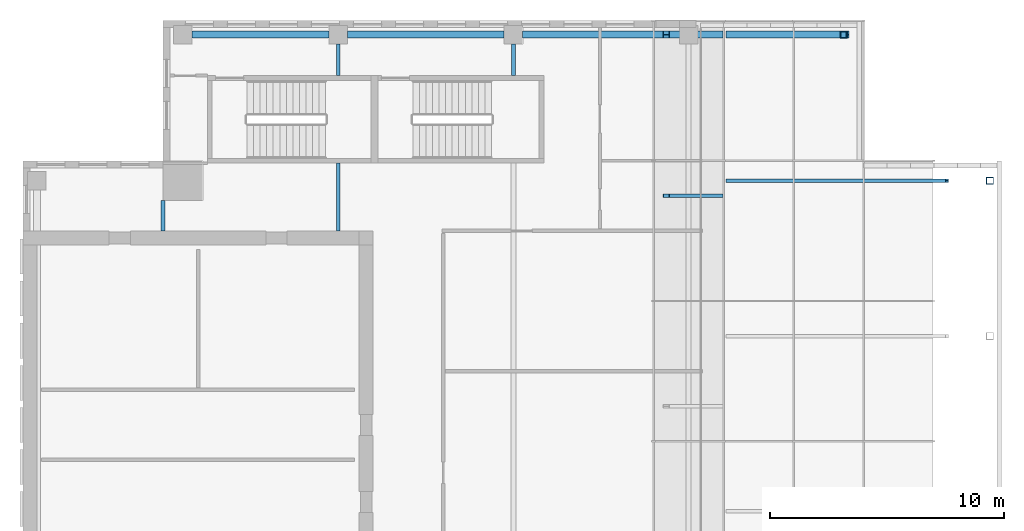
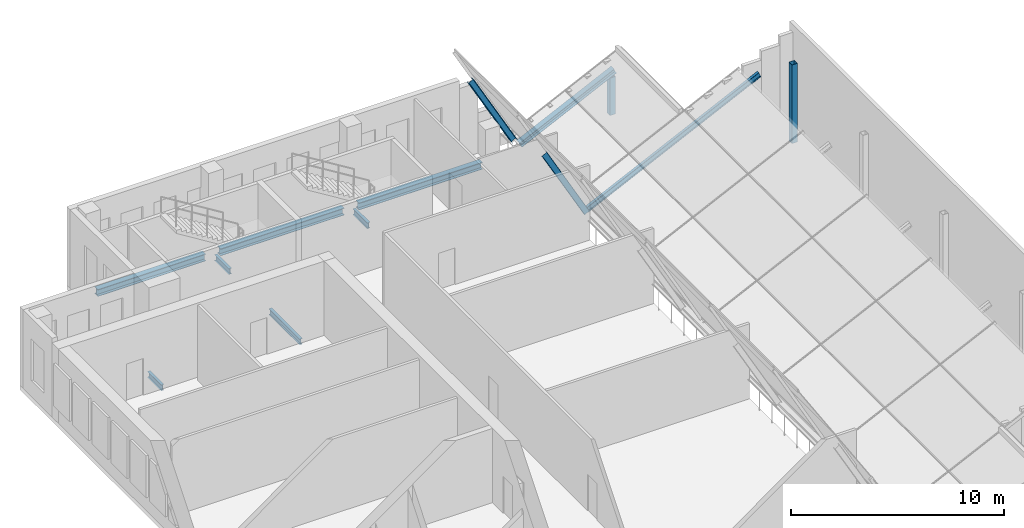
# One storey, part 3 of 11: 7 beams, 6 members.
"""IFC4 building model written with IfcOpenShell, lengths in metres."""

from ifc_helpers import new_model, si_unit, direction, frame, origin, origin_2d, place, context, subcontext, project, spatial, hollow_rectangle, i_section, extrude, source, transform, mapped, material, material_profile, profile_set, type_object, element, save


model = new_model("IFC4")

# Units and contexts
model_context = context("Model", 3, precision=1e-05, world=origin(), true_north=direction((0.0, 1.0)))
body_context = subcontext(model_context, "Body", "Model", "MODEL_VIEW")
ifc_project = project(units=[si_unit("LENGTHUNIT", "METRE"), si_unit("AREAUNIT", "SQUARE_METRE"), si_unit("VOLUMEUNIT", "CUBIC_METRE"), si_unit("PLANEANGLEUNIT", "RADIAN"), si_unit("MASSUNIT", "GRAM", prefix="KILO")], contexts=[model_context])

# Site, building, storey
site_placement = place(None, origin())
site = spatial("IfcSite", under=ifc_project, at=site_placement, CompositionType="ELEMENT")
building_placement = place(site_placement, origin())
building = spatial("IfcBuilding", under=site, at=building_placement, Name="Khomas Fold Tower", CompositionType="ELEMENT")
storey_placement = place(building_placement, frame((0.0, 0.0, 334.699951171875)))
storey = spatial("IfcBuildingStorey", under=building, at=storey_placement, Name="C2", CompositionType="ELEMENT", Elevation=334.699951171875)

# Beams
ifc_material_1 = material(Name="Steel S355", Category="steel")
ifc_material_profile_1 = material_profile(ifc_material_1, i_section(OverallWidth=0.159912109375, OverallDepth=0.330078125, WebThickness=0.007568359375, FlangeThickness=0.011474609375, at=origin_2d()), Name="IPE 330")
ifc_profile_set_1 = profile_set([ifc_material_profile_1], Name="Steel S355")
beam_type_1 = type_object("IfcBeamType", Name="IPE 330 beam JB1", PredefinedType="BEAM", material=ifc_profile_set_1)
shared_shape_1 = source(origin(), body_context, "Body", "SweptSolid", [
    extrude(i_section(OverallWidth=0.159912109375, OverallDepth=0.330078125, WebThickness=0.007568359375, FlangeThickness=0.011474609375, at=origin_2d()), origin(), (0.0, 0.0, 1.0), 2.89990234375),
])
beam_1_placement = place(storey_placement, frame((19.5, 39.0, -0.4150390625), z_axis=(0.0, 1.0, 0.0), x_axis=(-1.0, 0.0, 0.0)))
element("IfcBeam", 1, at=beam_1_placement, inside=storey, type_object=beam_type_1, Name="JB1", PredefinedType="BEAM", context=body_context, shape_type="MappedRepresentation", body=[
    mapped(shared_shape_1, transform((0.0, 0.0, 0.0))),
])
shared_shape_2 = source(origin(), body_context, "Body", "SweptSolid", [
    extrude(i_section(OverallWidth=0.159912109375, OverallDepth=0.330078125, WebThickness=0.007568359375, FlangeThickness=0.011474609375, at=origin_2d()), origin(), (0.0, 0.0, 1.0), 1.35009765625),
])
for number, where, z_axis, x_axis, name in (
    (2, (19.5, 45.64990234375, -0.4150390625), (0.0, 1.0, 0.0), (-1.0, 0.0, 0.0), "JB1"),
    (3, (27.0, 45.64990234375, -0.4150390625), (0.0, 1.0, 0.0), (-1.0, 0.0, 0.0), "JB1"),
):
    element("IfcBeam", number, at=place(storey_placement, frame(where, z_axis=z_axis, x_axis=x_axis)), inside=storey, type_object=beam_type_1, Name=name, PredefinedType="BEAM", context=body_context, shape_type="MappedRepresentation", body=[
        mapped(shared_shape_2, transform((0.0, 0.0, 0.0))),
    ])
ifc_material_2 = material(Name="Steel S355", Category="steel")
ifc_material_profile_2 = material_profile(ifc_material_2, i_section(OverallWidth=0.300048828125, OverallDepth=0.39990234375, WebThickness=0.013427734375, FlangeThickness=0.02392578125, at=origin_2d()), Name="HE 400 B")
ifc_profile_set_2 = profile_set([ifc_material_profile_2], Name="Steel S355")
beam_type_2 = type_object("IfcBeamType", Name="HE 400 B spandrel SB5", PredefinedType="SPANDREL", material=ifc_profile_set_2)
shared_shape_3 = source(origin(), body_context, "Body", "SweptSolid", [
    extrude(i_section(OverallWidth=0.300048828125, OverallDepth=0.39990234375, WebThickness=0.013427734375, FlangeThickness=0.02392578125, at=origin_2d()), origin(), (0.0, 0.0, 1.0), 5.85009765625),
])
beam_2_placement = place(storey_placement, frame((13.25, 47.39990234375, -0.449951171875), z_axis=(1.0, 0.0, 0.0), x_axis=(0.0, 1.0, 0.0)))
element("IfcBeam", 4, at=beam_2_placement, inside=storey, type_object=beam_type_2, Name="SB5", PredefinedType="SPANDREL", context=body_context, shape_type="MappedRepresentation", body=[
    mapped(shared_shape_3, transform((0.0, 0.0, 0.0))),
])
shared_shape_4 = source(origin(), body_context, "Body", "SweptSolid", [
    extrude(i_section(OverallWidth=0.300048828125, OverallDepth=0.39990234375, WebThickness=0.013427734375, FlangeThickness=0.02392578125, at=origin_2d()), origin(), (0.0, 0.0, 1.0), 6.7001953125),
])
for number, where, z_axis, x_axis, name in (
    (5, (27.39990234375, 47.39990234375, -0.449951171875), (1.0, 0.0, 0.0), (0.0, 1.0, 0.0), "SB5"),
    (6, (19.89990234375, 47.39990234375, -0.449951171875), (1.0, 0.0, 0.0), (0.0, 1.0, 0.0), "SB5"),
):
    element("IfcBeam", number, at=place(storey_placement, frame(where, z_axis=z_axis, x_axis=x_axis)), inside=storey, type_object=beam_type_2, Name=name, PredefinedType="SPANDREL", context=body_context, shape_type="MappedRepresentation", body=[
        mapped(shared_shape_4, transform((0.0, 0.0, 0.0))),
    ])
shared_shape_5 = source(origin(), body_context, "Body", "SweptSolid", [
    extrude(i_section(OverallWidth=0.159912109375, OverallDepth=0.330078125, WebThickness=0.007568359375, FlangeThickness=0.011474609375, at=origin_2d()), origin(), (0.0, 0.0, 1.0), 1.300048828125),
])
beam_3_placement = place(storey_placement, frame((12.0, 39.0, -0.4150390625), z_axis=(0.0, 1.0, 0.0), x_axis=(-1.0, 0.0, 0.0)))
element("IfcBeam", 7, at=beam_3_placement, inside=storey, type_object=beam_type_1, Name="JB1", PredefinedType="BEAM", context=body_context, shape_type="MappedRepresentation", body=[
    mapped(shared_shape_5, transform((0.0, 0.0, 0.0))),
])

# Members
ifc_material_3 = material(Name="Steel S355", Category="steel")
ifc_material_profile_3 = material_profile(ifc_material_3, i_section(OverallWidth=0.300048828125, OverallDepth=0.300048828125, WebThickness=0.010986328125, FlangeThickness=0.01904296875, at=origin_2d()), Name="HE 300 B")
ifc_profile_set_3 = profile_set([ifc_material_profile_3], Name="Steel S355")
member_type_1 = type_object("IfcMemberType", Name="ROOF RAFTER W C2 HE 300 B", PredefinedType="RAFTER", material=ifc_profile_set_3)
shared_shape_6 = source(origin(), body_context, "Body", "SweptSolid", [
    extrude(i_section(OverallWidth=0.300048828125, OverallDepth=0.300048828125, WebThickness=0.010986328125, FlangeThickness=0.01904296875, at=origin_2d()), origin(), (0.0, 0.0, 1.0), 4.763671875),
])
member_1_placement = place(storey_placement, frame((35.85009765625, 47.39990234375, 0.331298828125), z_axis=(-0.483953676577, 0.0, 0.875093617236), x_axis=(0.0, -1.0, 0.0)))
element("IfcMember", 8, at=member_1_placement, inside=storey, type_object=member_type_1, Name="CF-R1-W-C2", PredefinedType="RAFTER", context=body_context, shape_type="MappedRepresentation", body=[
    mapped(shared_shape_6, transform((0.0, 0.0, 0.0))),
])
ifc_material_4 = material(Name="Steel S355", Category="steel")
ifc_material_profile_4 = material_profile(ifc_material_4, i_section(OverallWidth=0.14990234375, OverallDepth=0.300048828125, WebThickness=0.007080078125, FlangeThickness=0.0107421875, at=origin_2d()), Name="IPE 300")
ifc_profile_set_4 = profile_set([ifc_material_profile_4], Name="Steel S355")
member_type_2 = type_object("IfcMemberType", Name="ROOF RAFTER W C2 IPE 300", PredefinedType="RAFTER", material=ifc_profile_set_4)
shared_shape_7 = source(origin(), body_context, "Body", "SweptSolid", [
    extrude(i_section(OverallWidth=0.14990234375, OverallDepth=0.300048828125, WebThickness=0.007080078125, FlangeThickness=0.0107421875, at=origin_2d()), origin(), (0.0, 0.0, 1.0), 4.763671875),
])
member_2_placement = place(storey_placement, frame((35.85009765625, 40.5, 0.331298828125), z_axis=(-0.483953676577, 0.0, 0.875093617236), x_axis=(0.0, -1.0, 0.0)))
element("IfcMember", 9, at=member_2_placement, inside=storey, type_object=member_type_2, Name="CF-R2-W-C2", PredefinedType="RAFTER", context=body_context, shape_type="MappedRepresentation", body=[
    mapped(shared_shape_7, transform((0.0, 0.0, 0.0))),
])
ifc_material_5 = material(Name="Steel S355", Category="steel")
ifc_material_profile_5 = material_profile(ifc_material_5, i_section(OverallWidth=0.300048828125, OverallDepth=0.300048828125, WebThickness=0.010986328125, FlangeThickness=0.01904296875, at=origin_2d()), Name="HE 300 B")
ifc_profile_set_5 = profile_set([ifc_material_profile_5], Name="Steel S355")
member_type_3 = type_object("IfcMemberType", Name="ROOF RAFTER E C2 HE 300 B", PredefinedType="RAFTER", material=ifc_profile_set_5)
shared_shape_8 = source(origin(), body_context, "Body", "SweptSolid", [
    extrude(i_section(OverallWidth=0.300048828125, OverallDepth=0.300048828125, WebThickness=0.010986328125, FlangeThickness=0.01904296875, at=origin_2d()), origin(), (0.0, 0.0, 1.0), 5.68359375),
])
member_3_placement = place(storey_placement, frame((36.174560546875, 47.39990234375, 0.0), z_axis=(0.901809751321, 0.0, 0.432133280856), x_axis=(0.0, 1.0, 0.0)))
element("IfcMember", 10, at=member_3_placement, inside=storey, type_object=member_type_3, Name="CF-R1-E-C2", PredefinedType="RAFTER", context=body_context, shape_type="MappedRepresentation", body=[
    mapped(shared_shape_8, transform((0.0, 0.0, 0.0))),
])
ifc_material_6 = material(Name="Steel S355", Category="steel")
ifc_material_profile_6 = material_profile(ifc_material_6, hollow_rectangle(XDim=0.300048828125, YDim=0.300048828125, WallThickness=0.01611328125, at=origin_2d()), Name="SHS 300x300x16")
ifc_profile_set_6 = profile_set([ifc_material_profile_6], Name="Steel S355")
member_type_4 = type_object("IfcMemberType", Name="EAVE POST C2 SHORT SHS 300x300x16", PredefinedType="POST", material=ifc_profile_set_6)
shared_shape_9 = source(origin(), body_context, "Body", "SweptSolid", [
    extrude(hollow_rectangle(XDim=0.300048828125, YDim=0.300048828125, WallThickness=0.01611328125, at=origin_2d()), origin(), (0.0, 0.0, 1.0), 2.14599609375),
])
member_4_placement = place(storey_placement, frame((41.14990234375, 47.39990234375, 0.0), z_axis=(0.0, 0.0, 1.0), x_axis=(1.0, 0.0, 0.0)))
element("IfcMember", 11, at=member_4_placement, inside=storey, type_object=member_type_4, Name="CF-P-C2S", PredefinedType="POST", context=body_context, shape_type="MappedRepresentation", body=[
    mapped(shared_shape_9, transform((0.0, 0.0, 0.0))),
])
ifc_material_7 = material(Name="Steel S355", Category="steel")
ifc_material_profile_7 = material_profile(ifc_material_7, i_section(OverallWidth=0.14990234375, OverallDepth=0.300048828125, WebThickness=0.007080078125, FlangeThickness=0.0107421875, at=origin_2d()), Name="IPE 300")
ifc_profile_set_7 = profile_set([ifc_material_profile_7], Name="Steel S355")
member_type_5 = type_object("IfcMemberType", Name="ROOF RAFTER E C2 IPE 300", PredefinedType="RAFTER", material=ifc_profile_set_7)
shared_shape_10 = source(origin(), body_context, "Body", "SweptSolid", [
    extrude(i_section(OverallWidth=0.14990234375, OverallDepth=0.300048828125, WebThickness=0.007080078125, FlangeThickness=0.0107421875, at=origin_2d()), origin(), (0.0, 0.0, 1.0), 10.413818359375),
])
member_5_placement = place(storey_placement, frame((36.174560546875, 41.14990234375, 0.0), z_axis=(0.901816980381, 0.0, 0.432118194359), x_axis=(0.0, 1.0, 0.0)))
element("IfcMember", 12, at=member_5_placement, inside=storey, type_object=member_type_5, Name="CF-R2-E-C2", PredefinedType="RAFTER", context=body_context, shape_type="MappedRepresentation", body=[
    mapped(shared_shape_10, transform((0.0, 0.0, 0.0))),
])
ifc_material_8 = material(Name="Steel S355", Category="steel")
ifc_material_profile_8 = material_profile(ifc_material_8, hollow_rectangle(XDim=0.300048828125, YDim=0.300048828125, WallThickness=0.01611328125, at=origin_2d()), Name="SHS 300x300x16")
ifc_profile_set_8 = profile_set([ifc_material_profile_8], Name="Steel S355")
member_type_6 = type_object("IfcMemberType", Name="EAVE POST C2 SHS 300x300x16", PredefinedType="POST", material=ifc_profile_set_8)
shared_shape_11 = source(origin(), body_context, "Body", "SweptSolid", [
    extrude(hollow_rectangle(XDim=0.300048828125, YDim=0.300048828125, WallThickness=0.01611328125, at=origin_2d()), origin(), (0.0, 0.0, 1.0), 4.5),
])
member_6_placement = place(storey_placement, frame((47.39990234375, 41.14990234375, 0.0), z_axis=(0.0, 0.0, 1.0), x_axis=(1.0, 0.0, 0.0)))
element("IfcMember", 13, at=member_6_placement, inside=storey, type_object=member_type_6, Name="CF-P-C2", PredefinedType="POST", context=body_context, shape_type="MappedRepresentation", body=[
    mapped(shared_shape_11, transform((0.0, 0.0, 0.0))),
])

save(model, "model.ifc")
